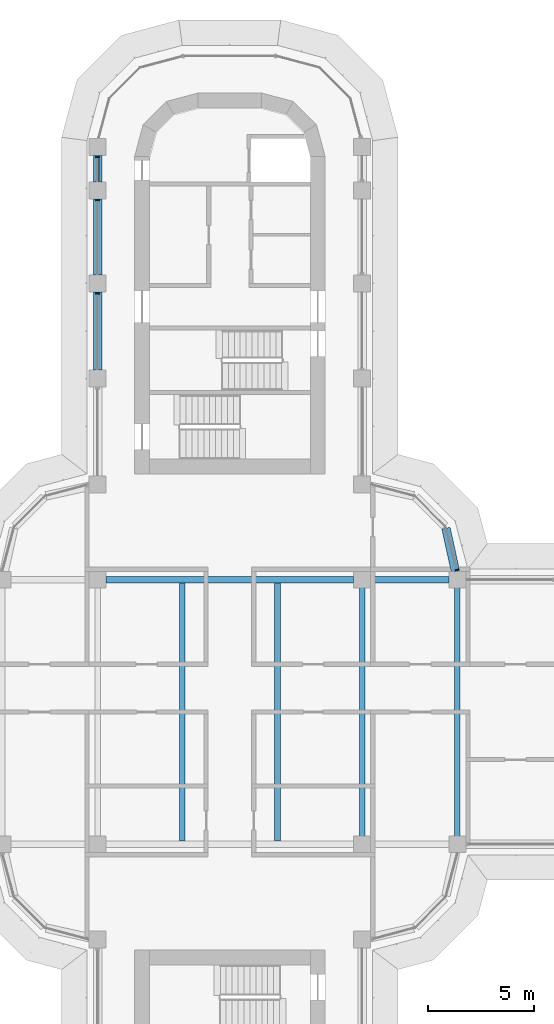
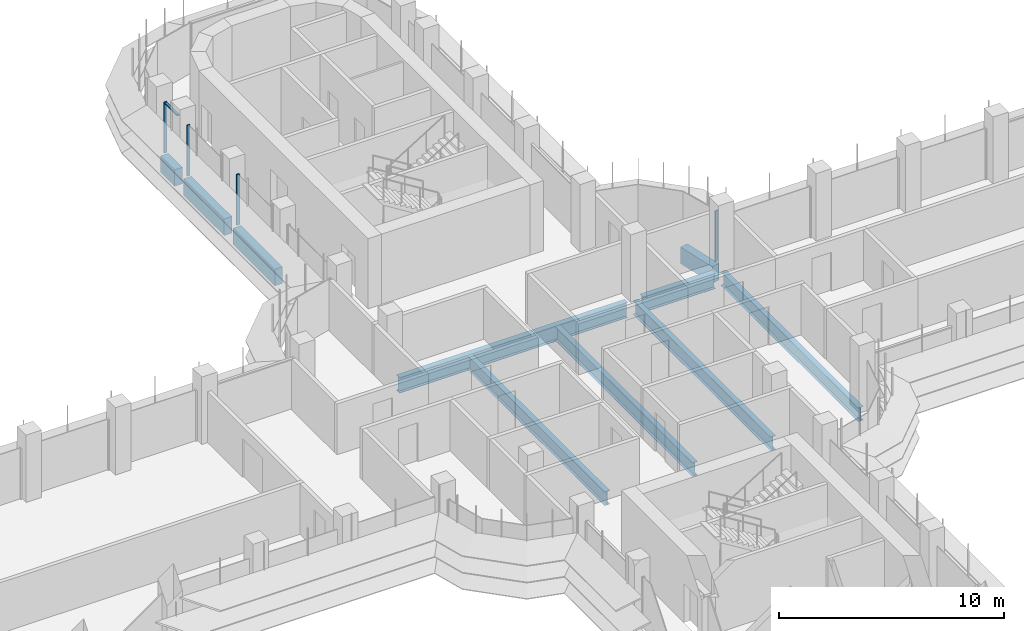
# One storey, part 7 of 19: 10 beams, 5 members, 2 elements without a shape of their own.
"""IFC4 building model written with IfcOpenShell, lengths in metres."""

from ifc_helpers import new_model, si_unit, direction, frame, origin, origin_2d, place, context, subcontext, project, spatial, polyline, rectangle, i_section, outline, extrude, source, transform, mapped, material, material_profile, profile_set, type_object, element, aggregate, save


model = new_model("IFC4")

# Units and contexts
model_context = context("Model", 3, precision=1e-05, world=origin(), true_north=direction((0.0, 1.0)))
body_context = subcontext(model_context, "Body", "Model", "MODEL_VIEW")
ifc_project = project(units=[si_unit("LENGTHUNIT", "METRE"), si_unit("AREAUNIT", "SQUARE_METRE"), si_unit("VOLUMEUNIT", "CUBIC_METRE"), si_unit("PLANEANGLEUNIT", "RADIAN"), si_unit("MASSUNIT", "GRAM", prefix="KILO")], contexts=[model_context])

# Site, building, storey
site_placement = place(None, origin())
site = spatial("IfcSite", under=ifc_project, at=site_placement, CompositionType="ELEMENT")
building_placement = place(site_placement, origin())
building = spatial("IfcBuilding", under=site, at=building_placement, Name="Zarbagh Exchange Tower", CompositionType="ELEMENT")
storey_placement = place(building_placement, frame((0.0, 0.0, 179.0)))
storey = spatial("IfcBuildingStorey", under=building, at=storey_placement, Name="L43", CompositionType="ELEMENT", Elevation=179.0)

# Beams
ifc_material_1 = material(Name="Steel ASTM A992 Gr 50", Category="steel")
ifc_material_profile_1 = material_profile(ifc_material_1, i_section(OverallWidth=0.26416015625, OverallDepth=0.749267578125, WebThickness=0.011962890625, FlangeThickness=0.015380859375, at=origin_2d()), Name="W30X90")
ifc_profile_set_1 = profile_set([ifc_material_profile_1], Name="Steel ASTM A992 Gr 50")
beam_type_1 = type_object("IfcBeamType", Name="Floor beam W30X90", PredefinedType="BEAM", material=ifc_profile_set_1)
for number, where, z_axis, x_axis, name in (
    (1, (-2.25, -6.10400390625, -0.524658203125), (0.0, 1.0, 0.0), (-1.0, 0.0, 0.0), "Steel floor beam"),
    (2, (2.25, -6.10400390625, -0.524658203125), (0.0, 1.0, 0.0), (-1.0, 0.0, 0.0), "Steel floor beam"),
    (3, (6.25, -6.10400390625, -0.524658203125), (0.0, 1.0, 0.0), (-1.0, 0.0, 0.0), "Steel floor beam"),
    (4, (10.75, -6.10400390625, -0.524658203125), (0.0, 1.0, 0.0), (-1.0, 0.0, 0.0), "Steel floor beam"),
):
    element("IfcBeam", number, at=place(storey_placement, frame(where, z_axis=z_axis, x_axis=x_axis)), inside=storey, type_object=beam_type_1, Name=name, PredefinedType="BEAM", context=body_context, shape_type="SweptSolid", body=[
        extrude(i_section(OverallWidth=0.26416015625, OverallDepth=0.749267578125, WebThickness=0.011962890625, FlangeThickness=0.015380859375, at=origin_2d()), origin(), (0.0, 0.0, 1.0), 12.2080078125),
    ])
ifc_material_profile_2 = material_profile(ifc_material_1, i_section(OverallWidth=0.2919921875, OverallDepth=0.835693359375, WebThickness=0.013916015625, FlangeThickness=0.018798828125, at=origin_2d()), Name="W33X118")
ifc_profile_set_2 = profile_set([ifc_material_profile_2], Name="Steel ASTM A992 Gr 50")
beam_type_2 = type_object("IfcBeamType", Name="Floor girder W33X118", PredefinedType="BEAM", material=ifc_profile_set_2)
beam_1_placement = place(storey_placement, frame((-5.85009765625, 6.25, -0.56787109375), z_axis=(1.0, 0.0, 0.0), x_axis=(0.0, 1.0, 0.0)))
element("IfcBeam", 5, at=beam_1_placement, inside=storey, type_object=beam_type_2, Name="Steel girder", PredefinedType="BEAM", context=body_context, shape_type="SweptSolid", body=[
    extrude(i_section(OverallWidth=0.2919921875, OverallDepth=0.835693359375, WebThickness=0.013916015625, FlangeThickness=0.018798828125, at=origin_2d()), origin(), (0.0, 0.0, 1.0), 11.7001953125),
])
beam_2_placement = place(storey_placement, frame((6.64990234375, 6.25, -0.56787109375), z_axis=(1.0, 0.0, 0.0), x_axis=(0.0, 1.0, 0.0)))
element("IfcBeam", 6, at=beam_2_placement, inside=storey, type_object=beam_type_2, Name="Steel girder", PredefinedType="BEAM", context=body_context, shape_type="SweptSolid", body=[
    extrude(i_section(OverallWidth=0.2919921875, OverallDepth=0.835693359375, WebThickness=0.013916015625, FlangeThickness=0.018798828125, at=origin_2d()), origin(), (0.0, 0.0, 1.0), 3.7001953125),
])
ifc_material_2 = material(Name="Concrete C50/60", Category="concrete")
ifc_material_profile_3 = material_profile(ifc_material_2, rectangle(XDim=0.39990234375, YDim=0.89990234375, at=origin_2d()), Name="RC spandrel beam 400 x 900 C50/60")
ifc_profile_set_3 = profile_set([ifc_material_profile_3], Name="Concrete C50/60")
beam_type_3 = type_object("IfcBeamType", Name="RC spandrel beam 400 x 900 C50/60", PredefinedType="SPANDREL", material=ifc_profile_set_3)
beam_3_placement = place(storey_placement, frame((-6.25, 16.14990234375, -0.60009765625), z_axis=(0.0, 1.0, 0.0), x_axis=(-1.0, 0.0, 0.0)))
element("IfcBeam", 7, at=beam_3_placement, inside=storey, type_object=beam_type_3, Name="RC spandrel beam", PredefinedType="SPANDREL", context=body_context, shape_type="SweptSolid", body=[
    extrude(rectangle(XDim=0.39990234375, YDim=0.89990234375, at=origin_2d()), origin(), (0.0, 0.0, 1.0), 3.7001953125),
])
beam_4_placement = place(storey_placement, frame((-6.25, 20.64990234375, -0.60009765625), z_axis=(0.0, 1.0, 0.0), x_axis=(-1.0, 0.0, 0.0)))
element("IfcBeam", 8, at=beam_4_placement, inside=storey, type_object=beam_type_3, Name="RC spandrel beam", PredefinedType="SPANDREL", context=body_context, shape_type="SweptSolid", body=[
    extrude(rectangle(XDim=0.39990234375, YDim=0.89990234375, at=origin_2d()), origin(), (0.0, 0.0, 1.0), 3.60009765625),
])
beam_5_placement = place(storey_placement, frame((-6.25, 25.050048828125, -0.60009765625), z_axis=(0.0, 1.0, 0.0), x_axis=(-1.0, 0.0, 0.0)))
element("IfcBeam", 9, at=beam_5_placement, inside=storey, type_object=beam_type_3, Name="RC spandrel beam", PredefinedType="SPANDREL", context=body_context, shape_type="SweptSolid", body=[
    extrude(rectangle(XDim=0.39990234375, YDim=0.89990234375, at=origin_2d()), origin(), (0.0, 0.0, 1.0), 1.25),
])
beam_6_placement = place(storey_placement, frame((10.21142578125, 8.68408203125, -0.60009765625), z_axis=(0.216041061437, -0.976384278741, 0.0), x_axis=(0.976384278741, 0.216041061437, 0.0)))
element("IfcBeam", 10, at=beam_6_placement, inside=storey, type_object=beam_type_3, Name="RC spandrel beam", PredefinedType="SPANDREL", context=body_context, shape_type="SweptSolid", body=[
    extrude(rectangle(XDim=0.39990234375, YDim=0.89990234375, at=origin_2d()), origin(), (0.0, 0.0, 1.0), 2.0927734375),
])

# Curtain wall, member
ifc_material_3 = material(Name="Anodised aluminium frame and glazing", Category="aluminium")
curtain_wall_type = type_object("IfcCurtainWallType", Name="CWB Ribbon glazing, upper zones", PredefinedType="NOTDEFINED", material=ifc_material_3)
curtain_wall_1_placement = place(storey_placement, origin())
curtain_wall_1 = element("IfcCurtainWall", 11, at=curtain_wall_1_placement, inside=storey, type_object=curtain_wall_type, Name="CWB17 curtain wall", PredefinedType="NOTDEFINED")
ifc_material_4 = material(Name="Anodised aluminium frame", Category="aluminium")
member_type_1 = type_object("IfcMemberType", Name="MUB Mullion, anodised aluminium frame", PredefinedType="MULLION", material=ifc_material_4)
shared_shape_1 = source(origin(), body_context, "Body", "SweptSolid", [
    extrude(outline(polyline([(0.0, -0.080078125), (0.06005859375, -0.080078125), (0.06005859375, 0.080078125), (0.0, 0.080078125), (0.0, -0.080078125)])), origin(), (0.0, 0.0, 1.0), 2.75),
])
placement = place(storey_placement, origin())
member_1 = element("IfcMember", 12, at=placement, type_object=member_type_1, Name="CWB17 mullion 1.1", PredefinedType="MULLION", context=body_context, shape_type="MappedRepresentation", body=[
    mapped(shared_shape_1, transform((10.74853515625, 6.68994140625, 0.0), x_axis=(-0.258824779902, 0.965924289636, 0.0), y_axis=(-0.965924289636, -0.258824779902, 0.0), z_axis=(0.0, 0.0, 1.0))),
])
aggregate(curtain_wall_1, [member_1])

# Curtain wall, members
curtain_wall_2_placement = place(storey_placement, origin())
curtain_wall_2 = element("IfcCurtainWall", 13, at=curtain_wall_2_placement, inside=storey, type_object=curtain_wall_type, Name="CWB28 curtain wall", PredefinedType="NOTDEFINED")
member_2 = element("IfcMember", 14, at=placement, type_object=member_type_1, Name="CWB28 mullion 1.1", PredefinedType="MULLION", context=body_context, shape_type="MappedRepresentation", body=[
    mapped(shared_shape_1, transform((-6.25, 26.260009765625, 0.0), x_axis=(0.0, -1.0, 0.0), y_axis=(1.0, 0.0, 0.0), z_axis=(0.0, 0.0, 1.0))),
])
member_3 = element("IfcMember", 15, at=placement, type_object=member_type_1, Name="CWB28 mullion 2.1", PredefinedType="MULLION", context=body_context, shape_type="MappedRepresentation", body=[
    mapped(shared_shape_1, transform((-6.25, 24.2099609375, 0.0), x_axis=(0.0, -1.0, 0.0), y_axis=(1.0, 0.0, 0.0), z_axis=(0.0, 0.0, 1.0))),
])
member_4 = element("IfcMember", 16, at=placement, type_object=member_type_1, Name="CWB28 mullion 3.1", PredefinedType="MULLION", context=body_context, shape_type="MappedRepresentation", body=[
    mapped(shared_shape_1, transform((-6.25, 19.81005859375, 0.0), x_axis=(0.0, -1.0, 0.0), y_axis=(1.0, 0.0, 0.0), z_axis=(0.0, 0.0, 1.0))),
])
member_type_2 = type_object("IfcMemberType", Name="TRB Transom, anodised aluminium frame", PredefinedType="USERDEFINED", material=ifc_material_4)
shared_shape_2 = source(origin(), body_context, "Body", "SweptSolid", [
    extrude(outline(polyline([(-0.06005859375, -0.06005859375), (0.0, -0.06005859375), (0.0, 0.06005859375), (-0.06005859375, 0.06005859375), (-0.06005859375, -0.06005859375)])), origin(), (0.0, 0.0, 1.0), 1.110107421875),
])
member_5 = element("IfcMember", 17, at=placement, type_object=member_type_2, Name="CWB28 transom 1.1", ObjectType="TRANSOM", PredefinedType="USERDEFINED", context=body_context, shape_type="MappedRepresentation", body=[
    mapped(shared_shape_2, transform((-6.25, 26.199951171875, 2.75), x_axis=(0.0, 0.0, 1.0), y_axis=(-1.0, 0.0, 0.0), z_axis=(0.0, -1.0, 0.0))),
])
aggregate(curtain_wall_2, [member_2, member_5, member_3, member_4])

save(model, "model.ifc")
